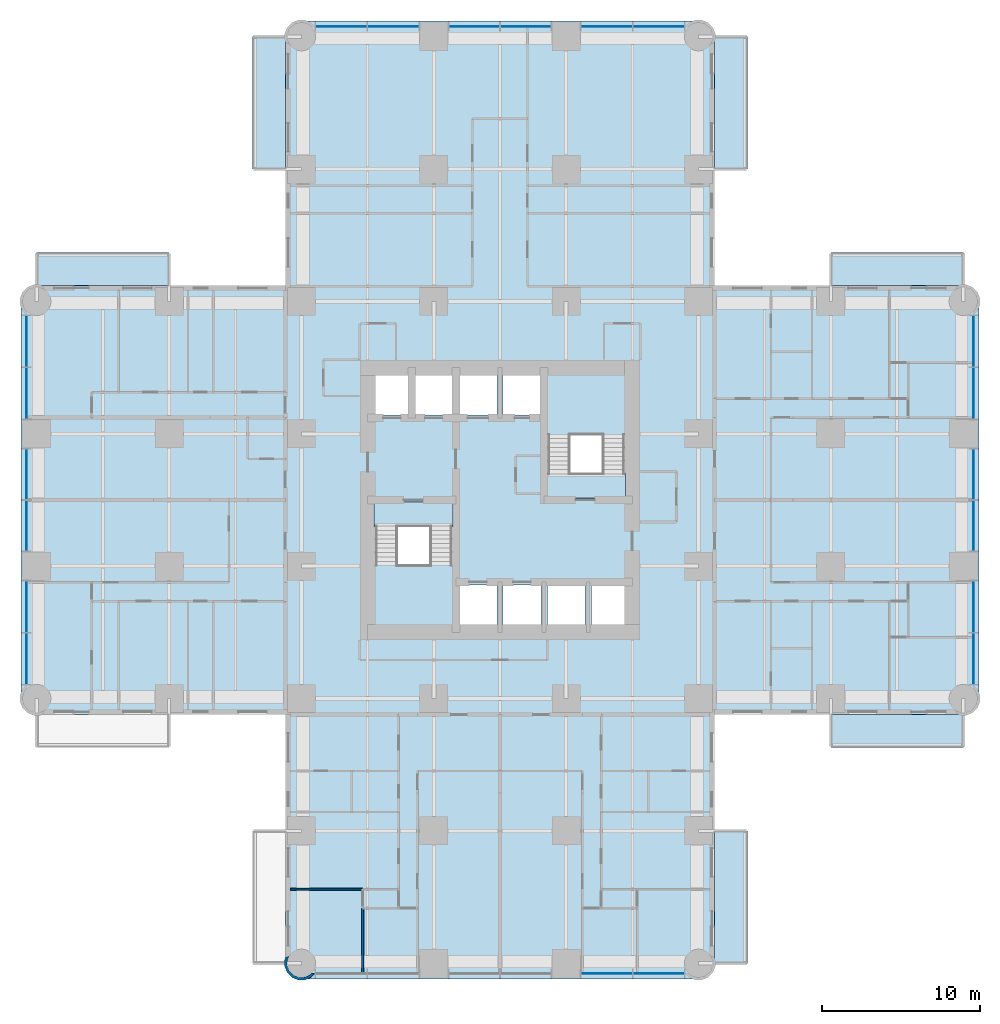
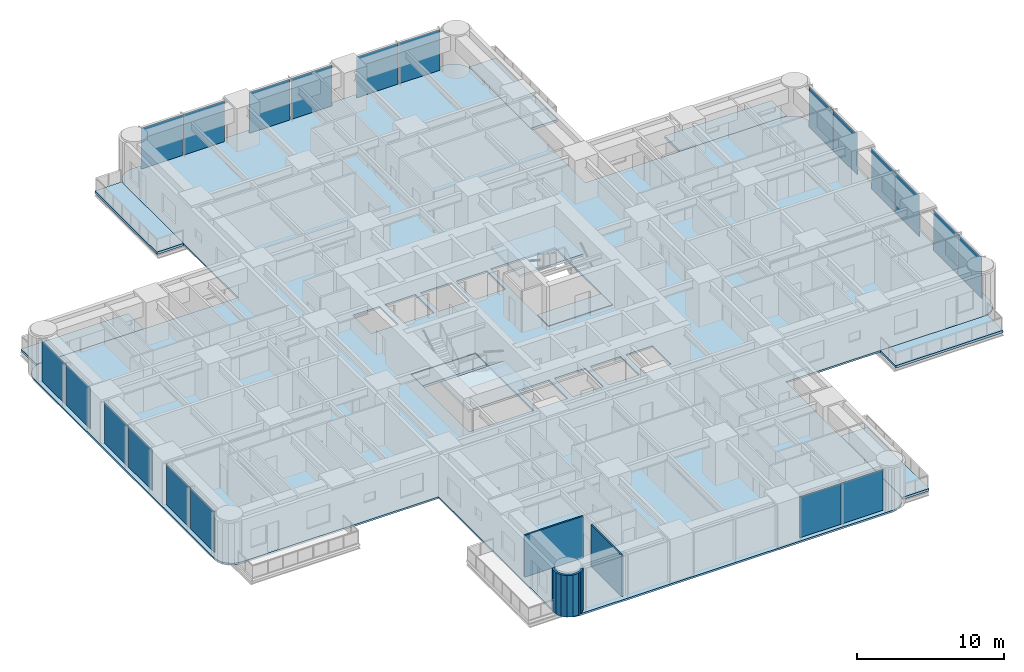
# One storey, part 6 of 17: 20 plates, 11 slabs, 3 walls, 6 elements without a shape of their own.
"""IFC4 building model written with IfcOpenShell, lengths in metres."""

import ifcopenshell
import ifcopenshell.guid

model = None  # the IFC model being written
_history = None  # IfcOwnerHistory: only IFC2X3 demands one
_inside = {}  # id of a spatial element -> (the spatial element, [elements in it])
_under = {}  # id of a project, library or spatial element -> (it, [spatial elements below it])
_declared = {}  # id of a project -> (the project, [libraries it declares])
_typed = {}  # id of a type object -> (the type object, [elements of that type])
_made_of = {}  # id of a material, layer set ... -> (it, [elements and type objects made of it])


def new_model(schema):
    """Start an empty IFC model of exactly this schema.

    Asked for "IFC4X3", IfcOpenShell would pick the latest addendum, in which some entities
    have other attributes; the version numbers below select the first issue.
    IFC2X3 requires an IfcOwnerHistory on every rooted entity: one is made here for all.
    """
    global model, _history
    if schema == "IFC4X3":
        model = ifcopenshell.file(schema_version=(4, 3, 0, 0))
    else:
        model = ifcopenshell.file(schema=schema)
    _inside.clear()
    _under.clear()
    _declared.clear()
    _typed.clear()
    _made_of.clear()
    _history = None
    if model.schema == "IFC2X3":
        org = make("IfcOrganization", Name="unknown")
        user = make(
            "IfcPersonAndOrganization",
            ThePerson=make("IfcPerson", FamilyName="unknown"),
            TheOrganization=org,
        )
        app = make(
            "IfcApplication",
            ApplicationDeveloper=org,
            Version="unknown",
            ApplicationFullName="unknown",
            ApplicationIdentifier="unknown",
        )
        _history = make(
            "IfcOwnerHistory",
            OwningUser=user,
            OwningApplication=app,
            ChangeAction="ADDED",
            CreationDate=0,
        )
    return model


def make(cls, **values):
    """One entity of the class cls with the attributes given. An attribute that is None is left unset."""
    return model.create_entity(
        cls, **{name: value for name, value in values.items() if value is not None}
    )


def rooted(cls, **values):
    """An entity with a GlobalId (a new one), such as an element, a storey or a relation."""
    return make(cls, GlobalId=ifcopenshell.guid.new(), OwnerHistory=_history, **values)


def si_unit(unit_type, name, prefix=None):
    """IfcSIUnit, for example si_unit("LENGTHUNIT", "METRE", prefix="MILLI")."""
    return make("IfcSIUnit", UnitType=unit_type, Prefix=prefix, Name=name)


def assignment(units):
    """IfcUnitAssignment: the units of a project."""
    return None if units is None else make("IfcUnitAssignment", Units=units)


def point(xyz):
    """IfcCartesianPoint."""
    return None if xyz is None else make("IfcCartesianPoint", Coordinates=xyz)


def direction(xyz):
    """IfcDirection."""
    return None if xyz is None else make("IfcDirection", DirectionRatios=xyz)


def frame(location, z_axis=None, x_axis=None):
    """IfcAxis2Placement3D, a coordinate frame: its origin and axes. An axis left out is left unset."""
    return make(
        "IfcAxis2Placement3D",
        Location=point(location),
        Axis=direction(z_axis),
        RefDirection=direction(x_axis),
    )


def frame_2d(location, x_axis=None):
    """IfcAxis2Placement2D, a coordinate frame in the plane: its origin and x axis."""
    return make(
        "IfcAxis2Placement2D", Location=point(location), RefDirection=direction(x_axis)
    )


def origin():
    """The frame at (0, 0, 0) with its axes left unset."""
    return frame((0.0, 0.0, 0.0))


def origin_2d():
    """The frame at (0, 0) in the plane with its x axis left unset."""
    return frame_2d((0.0, 0.0))


def place(relative_to, where):
    """IfcLocalPlacement: puts the frame where relative to a parent placement (None: the world)."""
    return make(
        "IfcLocalPlacement", PlacementRelTo=relative_to, RelativePlacement=where
    )


def context(
    kind, dimensions, precision=None, world=None, true_north=None, identifier=None
):
    """IfcGeometricRepresentationContext, for example the 3D "Model" context."""
    return make(
        "IfcGeometricRepresentationContext",
        ContextIdentifier=identifier,
        ContextType=kind,
        CoordinateSpaceDimension=dimensions,
        Precision=precision,
        WorldCoordinateSystem=world,
        TrueNorth=true_north,
    )


def subcontext(parent, identifier, kind, view, scale=None):
    """IfcGeometricRepresentationSubContext, for example "Body" below "Model"."""
    return make(
        "IfcGeometricRepresentationSubContext",
        ContextIdentifier=identifier,
        ContextType=kind,
        ParentContext=parent,
        TargetScale=scale,
        TargetView=view,
    )


def project(units=None, contexts=None):
    """IfcProject with its units and contexts."""
    return rooted(
        "IfcProject",
        Name="project",
        RepresentationContexts=contexts,
        UnitsInContext=assignment(units),
    )


def spatial(cls, under=None, at=None, **own):
    """A site, building, storey or space (cls), placed at a placement, below another one or the project."""
    s = rooted(cls, ObjectPlacement=at, **own)
    if under is not None:
        _under.setdefault(under.id(), (under, []))[1].append(s)
    return s


def polyline(points):
    """IfcPolyline through the points."""
    return make("IfcPolyline", Points=[point(p) for p in points])


def profile(cls, at=None, kind="AREA", **sizes):
    """A parametric profile (cls). Its sizes go by their IFC names, for example OverallWidth=200.0."""
    return make(cls, ProfileType=kind, Position=at, **sizes)


def rectangle(**sizes):
    """IfcRectangleProfileDef."""
    return profile("IfcRectangleProfileDef", **sizes)


def outline(outer, holes=None, kind="AREA"):
    """IfcArbitraryClosedProfileDef: a profile drawn as a closed curve; with holes, ...WithVoids."""
    if holes is None:
        return make("IfcArbitraryClosedProfileDef", ProfileType=kind, OuterCurve=outer)
    return make(
        "IfcArbitraryProfileDefWithVoids",
        ProfileType=kind,
        OuterCurve=outer,
        InnerCurves=holes,
    )


def extrude(swept, where, along, depth):
    """IfcExtrudedAreaSolid: the profile swept, set in the frame where, extruded along a direction by depth."""
    return make(
        "IfcExtrudedAreaSolid",
        SweptArea=swept,
        Position=where,
        ExtrudedDirection=direction(along),
        Depth=depth,
    )


def shape(context_of_items, identifier, shape_type, items):
    """IfcShapeRepresentation: the items that make up one representation, for example the "Body"."""
    return make(
        "IfcShapeRepresentation",
        ContextOfItems=context_of_items,
        RepresentationIdentifier=identifier,
        RepresentationType=shape_type,
        Items=items,
    )


def material(Name=None, Category=None):
    """IfcMaterial."""
    return make("IfcMaterial", Name=Name, Category=Category)


def layer(
    of_material, thickness, ventilated=None, Name=None, Category=None, Priority=None
):
    """IfcMaterialLayer: one layer of a wall or slab, of a material (None: an air gap)."""
    return make(
        "IfcMaterialLayer",
        Material=of_material,
        LayerThickness=thickness,
        IsVentilated=ventilated,
        Name=Name,
        Category=Category,
        Priority=Priority,
    )


def layer_set(layers, Name=None):
    """IfcMaterialLayerSet."""
    return make("IfcMaterialLayerSet", MaterialLayers=layers, LayerSetName=Name)


def made_of(thing, what):
    """Note that an element or type object is made of a material, layer set ...; save() writes the relation."""
    if what is not None:
        _made_of.setdefault(what.id(), (what, []))[1].append(thing)
    return thing


def type_object(cls, material=None, **own):
    """A type object (cls), such as IfcWallType, which elements share."""
    return made_of(rooted(cls, **own), material)


def element(
    cls,
    number,
    at=None,
    inside=None,
    cuts=None,
    type_object=None,
    material=None,
    context=None,
    identifier="Body",
    shape_type=None,
    held_by="IfcProductDefinitionShape",
    body=None,
    shapes=None,
    **own,
):
    """One element of the class cls, such as IfcWall. Its Tag is "e" and its number.

    at: its placement. inside: the storey or other place that contains it. cuts: it is an
    opening in that element (IfcRelVoidsElement). A single representation is given by context,
    identifier, shape_type and body (its items); several are given by shapes. held_by: the class
    of the entity that holds the representations. save() writes the other relations.
    """
    e = rooted(cls, Tag="e%d" % number, ObjectPlacement=at, **own)
    if body is not None:
        shapes = [shape(context, identifier, shape_type, body)]
    if shapes is not None:
        e.Representation = make(held_by, Representations=shapes)
    if inside is not None:
        _inside.setdefault(inside.id(), (inside, []))[1].append(e)
    if cuts is not None:
        rooted(
            "IfcRelVoidsElement", RelatingBuildingElement=cuts, RelatedOpeningElement=e
        )
    if type_object is not None:
        _typed.setdefault(type_object.id(), (type_object, []))[1].append(e)
    return made_of(e, material)


def aggregate(whole, parts):
    """IfcRelAggregates: a whole, such as a stair, and the parts it consists of."""
    return rooted("IfcRelAggregates", RelatingObject=whole, RelatedObjects=parts)


def save(model, path):
    """Write the relations noted so far, then the file.

    IfcRelAggregates (storeys below a building ...), IfcRelContainedInSpatialStructure (elements
    in a storey), IfcRelDefinesByType, IfcRelAssociatesMaterial and IfcRelDeclares: one each for
    every whole, place, type object, material and project.
    """
    for whole, parts in _under.values():
        aggregate(whole, parts)
    for where, things in _inside.values():
        rooted(
            "IfcRelContainedInSpatialStructure",
            RelatedElements=things,
            RelatingStructure=where,
        )
    for kind, things in _typed.values():
        rooted("IfcRelDefinesByType", RelatedObjects=things, RelatingType=kind)
    for what, things in _made_of.values():
        rooted("IfcRelAssociatesMaterial", RelatedObjects=things, RelatingMaterial=what)
    for by, libraries in _declared.values():
        rooted("IfcRelDeclares", RelatingContext=by, RelatedDefinitions=libraries)
    model.write(path)


model = new_model("IFC4")

# Units and contexts
model_context = context("Model", 3, precision=1e-05, world=origin(), true_north=direction((0.0, 1.0)))
body_context = subcontext(model_context, "Body", "Model", "MODEL_VIEW")
ifc_project = project(units=[si_unit("LENGTHUNIT", "METRE"), si_unit("AREAUNIT", "SQUARE_METRE"), si_unit("VOLUMEUNIT", "CUBIC_METRE"), si_unit("PLANEANGLEUNIT", "RADIAN"), si_unit("MASSUNIT", "GRAM", prefix="KILO")], contexts=[model_context])

# Site, building, storey
site_placement = place(None, origin())
site = spatial("IfcSite", under=ifc_project, at=site_placement, CompositionType="ELEMENT")
building_placement = place(site_placement, origin())
building = spatial("IfcBuilding", under=site, at=building_placement, Name="Torre Alcanfor", CompositionType="ELEMENT")
storey_placement = place(building_placement, frame((0.0, 0.0, 38.10009765625)))
storey = spatial("IfcBuildingStorey", under=building, at=storey_placement, Name="L08", CompositionType="ELEMENT", Elevation=38.10009765625)

# Slabs
ifc_material_1 = material(Name="Concrete f'c 35 MPa", Category="concrete")
ifc_layer_1 = layer(ifc_material_1, 0.199951171875)
ifc_layer_set_1 = layer_set([ifc_layer_1], Name="Balcony slab 200")
slab_type_1 = type_object("IfcSlabType", Name="Balcony slab 200", PredefinedType="FLOOR", material=ifc_layer_set_1)
slab_1_placement = place(storey_placement, frame((0.0, 0.0, -0.2001953125)))
element("IfcSlab", 1, at=slab_1_placement, inside=storey, type_object=slab_type_1, Name="Balcony L08-N1", PredefinedType="FLOOR", context=body_context, shape_type="SweptSolid", body=[
    extrude(outline(polyline([(15.800048828125, 50.39990234375), (15.800048828125, 58.800048828125), (13.699951171875, 58.800048828125), (13.699951171875, 50.39990234375), (15.800048828125, 50.39990234375)])), origin(), (0.0, 0.0, 1.0), 0.2001953125),
])
slab_2_placement = place(storey_placement, frame((0.0, 0.0, -0.2001953125)))
element("IfcSlab", 2, at=slab_2_placement, inside=storey, type_object=slab_type_1, Name="Balcony L08-N2", PredefinedType="FLOOR", context=body_context, shape_type="SweptSolid", body=[
    extrude(outline(polyline([(45.10009765625, 50.39990234375), (45.10009765625, 58.800048828125), (43.0, 58.800048828125), (43.0, 50.39990234375), (45.10009765625, 50.39990234375)])), origin(), (0.0, 0.0, 1.0), 0.2001953125),
])
slab_3_placement = place(storey_placement, frame((0.0, 0.0, -0.2001953125)))
element("IfcSlab", 3, at=slab_3_placement, inside=storey, type_object=slab_type_1, Name="Balcony L08-E1", PredefinedType="FLOOR", context=body_context, shape_type="SweptSolid", body=[
    extrude(outline(polyline([(50.39990234375, 43.0), (58.800048828125, 43.0), (58.800048828125, 45.10009765625), (50.39990234375, 45.10009765625), (50.39990234375, 43.0)])), origin(), (0.0, 0.0, 1.0), 0.2001953125),
])
slab_4_placement = place(storey_placement, frame((0.0, 0.0, -0.2001953125)))
element("IfcSlab", 4, at=slab_4_placement, inside=storey, type_object=slab_type_1, Name="Balcony L08-E2", PredefinedType="FLOOR", context=body_context, shape_type="SweptSolid", body=[
    extrude(outline(polyline([(50.39990234375, 13.699951171875), (58.800048828125, 13.699951171875), (58.800048828125, 15.800048828125), (50.39990234375, 15.800048828125), (50.39990234375, 13.699951171875)])), origin(), (0.0, 0.0, 1.0), 0.2001953125),
])
slab_5_placement = place(storey_placement, frame((0.0, 0.0, -0.2001953125)))
element("IfcSlab", 5, at=slab_5_placement, inside=storey, type_object=slab_type_1, Name="Balcony L08-S1", PredefinedType="FLOOR", context=body_context, shape_type="SweptSolid", body=[
    extrude(outline(polyline([(43.0, 8.39990234375), (43.0, 0.0), (45.10009765625, 0.0), (45.10009765625, 8.39990234375), (43.0, 8.39990234375)])), origin(), (0.0, 0.0, 1.0), 0.2001953125),
])
slab_6_placement = place(storey_placement, frame((0.0, 0.0, -0.2001953125)))
element("IfcSlab", 6, at=slab_6_placement, inside=storey, type_object=slab_type_1, Name="Balcony L08-W2", PredefinedType="FLOOR", context=body_context, shape_type="SweptSolid", body=[
    extrude(outline(polyline([(8.39990234375, 45.10009765625), (0.0, 45.10009765625), (0.0, 43.0), (8.39990234375, 43.0), (8.39990234375, 45.10009765625)])), origin(), (0.0, 0.0, 1.0), 0.2001953125),
])

# Curtain wall, plates
ifc_material_2 = material(Name="Aluminium and glass", Category="aluminium")
curtain_wall_type = type_object("IfcCurtainWallType", Name="CW-A unitised apartment glazing with vertical FIN", PredefinedType="NOTDEFINED", material=ifc_material_2)
curtain_wall_1_placement = place(storey_placement, origin())
curtain_wall_1 = element("IfcCurtainWall", 7, at=curtain_wall_1_placement, inside=storey, type_object=curtain_wall_type, Name="Curtain wall CW-A L08 2", PredefinedType="NOTDEFINED")
ifc_material_3 = material(Name="Glass", Category="glass")
ifc_layer_2 = layer(ifc_material_3, 0.028076171875)
ifc_layer_set_2 = layer_set([ifc_layer_2], Name="CW-A clear double glazed unit")
plate_type = type_object("IfcPlateType", Name="CW-A clear double glazed unit", PredefinedType="CURTAIN_PANEL", material=ifc_layer_set_2)
plate_1_placement = place(storey_placement, frame((-0.64990234375, 39.484130859375, 0.0), z_axis=(0.0, 0.0, 1.0), x_axis=(0.0, -1.0, 0.0)))
plate_1 = element("IfcPlate", 8, at=plate_1_placement, type_object=plate_type, Name="CW-A panel 1.1.1", PredefinedType="CURTAIN_PANEL", context=body_context, shape_type="SweptSolid", body=[
    extrude(rectangle(XDim=3.232666015625, YDim=0.028076171875, at=origin_2d()), origin(), (0.0, 0.0, 1.0), 3.385009765625),
])
plate_2_placement = place(storey_placement, frame((-0.64990234375, 36.186279296875, 0.0), z_axis=(0.0, 0.0, 1.0), x_axis=(0.0, -1.0, 0.0)))
plate_2 = element("IfcPlate", 9, at=plate_2_placement, type_object=plate_type, Name="CW-A panel 1.2.1", PredefinedType="CURTAIN_PANEL", context=body_context, shape_type="SweptSolid", body=[
    extrude(rectangle(XDim=3.232666015625, YDim=0.028076171875, at=origin_2d()), origin(), (0.0, 0.0, 1.0), 3.385009765625),
])
plate_3_placement = place(storey_placement, frame((-0.64990234375, 31.03125, 0.0), z_axis=(0.0, 0.0, 1.0), x_axis=(0.0, -1.0, 0.0)))
plate_3 = element("IfcPlate", 10, at=plate_3_placement, type_object=plate_type, Name="CW-A panel 2.1.1", PredefinedType="CURTAIN_PANEL", context=body_context, shape_type="SweptSolid", body=[
    extrude(rectangle(XDim=3.197509765625, YDim=0.028076171875, at=origin_2d()), origin(), (0.0, 0.0, 1.0), 3.385009765625),
])
plate_4_placement = place(storey_placement, frame((-0.64990234375, 27.768798828125, 0.0), z_axis=(0.0, 0.0, 1.0), x_axis=(0.0, -1.0, 0.0)))
plate_4 = element("IfcPlate", 11, at=plate_4_placement, type_object=plate_type, Name="CW-A panel 2.2.1", PredefinedType="CURTAIN_PANEL", context=body_context, shape_type="SweptSolid", body=[
    extrude(rectangle(XDim=3.197509765625, YDim=0.028076171875, at=origin_2d()), origin(), (0.0, 0.0, 1.0), 3.385009765625),
])
plate_5_placement = place(storey_placement, frame((-0.64990234375, 22.613525390625, 0.0), z_axis=(0.0, 0.0, 1.0), x_axis=(0.0, -1.0, 0.0)))
plate_5 = element("IfcPlate", 12, at=plate_5_placement, type_object=plate_type, Name="CW-A panel 3.1.1", PredefinedType="CURTAIN_PANEL", context=body_context, shape_type="SweptSolid", body=[
    extrude(rectangle(XDim=3.232666015625, YDim=0.028076171875, at=origin_2d()), origin(), (0.0, 0.0, 1.0), 3.385009765625),
])
plate_6_placement = place(storey_placement, frame((-0.64990234375, 19.31591796875, 0.0), z_axis=(0.0, 0.0, 1.0), x_axis=(0.0, -1.0, 0.0)))
plate_6 = element("IfcPlate", 13, at=plate_6_placement, type_object=plate_type, Name="CW-A panel 3.2.1", PredefinedType="CURTAIN_PANEL", context=body_context, shape_type="SweptSolid", body=[
    extrude(rectangle(XDim=3.232666015625, YDim=0.028076171875, at=origin_2d()), origin(), (0.0, 0.0, 1.0), 3.385009765625),
])
aggregate(curtain_wall_1, [plate_1, plate_2, plate_3, plate_4, plate_5, plate_6])

curtain_wall_2_placement = place(storey_placement, origin())
curtain_wall_2 = element("IfcCurtainWall", 14, at=curtain_wall_2_placement, inside=storey, type_object=curtain_wall_type, Name="Curtain wall CW-A L08 5", PredefinedType="NOTDEFINED")
plate_7_placement = place(storey_placement, frame((36.186279296875, -0.64990234375, 0.0), z_axis=(0.0, 0.0, 1.0), x_axis=(1.0, 0.0, 0.0)))
plate_7 = element("IfcPlate", 15, at=plate_7_placement, type_object=plate_type, Name="CW-A panel 3.1.1", PredefinedType="CURTAIN_PANEL", context=body_context, shape_type="SweptSolid", body=[
    extrude(rectangle(XDim=3.232666015625, YDim=0.028076171875, at=origin_2d()), origin(), (0.0, 0.0, 1.0), 3.385009765625),
])
plate_8_placement = place(storey_placement, frame((39.484130859375, -0.64990234375, 0.0), z_axis=(0.0, 0.0, 1.0), x_axis=(1.0, 0.0, 0.0)))
plate_8 = element("IfcPlate", 16, at=plate_8_placement, type_object=plate_type, Name="CW-A panel 3.2.1", PredefinedType="CURTAIN_PANEL", context=body_context, shape_type="SweptSolid", body=[
    extrude(rectangle(XDim=3.232666015625, YDim=0.028076171875, at=origin_2d()), origin(), (0.0, 0.0, 1.0), 3.385009765625),
])
aggregate(curtain_wall_2, [plate_7, plate_8])

curtain_wall_3_placement = place(storey_placement, origin())
curtain_wall_3 = element("IfcCurtainWall", 17, at=curtain_wall_3_placement, inside=storey, type_object=curtain_wall_type, Name="Curtain wall CW-A L08 8", PredefinedType="NOTDEFINED")
plate_9_placement = place(storey_placement, frame((59.449951171875, 19.31591796875, 0.0), z_axis=(0.0, 0.0, 1.0), x_axis=(0.0, 1.0, 0.0)))
plate_9 = element("IfcPlate", 18, at=plate_9_placement, type_object=plate_type, Name="CW-A panel 1.1.1", PredefinedType="CURTAIN_PANEL", context=body_context, shape_type="SweptSolid", body=[
    extrude(rectangle(XDim=3.232666015625, YDim=0.028076171875, at=origin_2d()), origin(), (0.0, 0.0, 1.0), 3.385009765625),
])
plate_10_placement = place(storey_placement, frame((59.449951171875, 22.613525390625, 0.0), z_axis=(0.0, 0.0, 1.0), x_axis=(0.0, 1.0, 0.0)))
plate_10 = element("IfcPlate", 19, at=plate_10_placement, type_object=plate_type, Name="CW-A panel 1.2.1", PredefinedType="CURTAIN_PANEL", context=body_context, shape_type="SweptSolid", body=[
    extrude(rectangle(XDim=3.232666015625, YDim=0.028076171875, at=origin_2d()), origin(), (0.0, 0.0, 1.0), 3.385009765625),
])
plate_11_placement = place(storey_placement, frame((59.449951171875, 27.768798828125, 0.0), z_axis=(0.0, 0.0, 1.0), x_axis=(0.0, 1.0, 0.0)))
plate_11 = element("IfcPlate", 20, at=plate_11_placement, type_object=plate_type, Name="CW-A panel 2.1.1", PredefinedType="CURTAIN_PANEL", context=body_context, shape_type="SweptSolid", body=[
    extrude(rectangle(XDim=3.197509765625, YDim=0.028076171875, at=origin_2d()), origin(), (0.0, 0.0, 1.0), 3.385009765625),
])
plate_12_placement = place(storey_placement, frame((59.449951171875, 31.03125, 0.0), z_axis=(0.0, 0.0, 1.0), x_axis=(0.0, 1.0, 0.0)))
plate_12 = element("IfcPlate", 21, at=plate_12_placement, type_object=plate_type, Name="CW-A panel 2.2.1", PredefinedType="CURTAIN_PANEL", context=body_context, shape_type="SweptSolid", body=[
    extrude(rectangle(XDim=3.197509765625, YDim=0.028076171875, at=origin_2d()), origin(), (0.0, 0.0, 1.0), 3.385009765625),
])
plate_13_placement = place(storey_placement, frame((59.449951171875, 36.186279296875, 0.0), z_axis=(0.0, 0.0, 1.0), x_axis=(0.0, 1.0, 0.0)))
plate_13 = element("IfcPlate", 22, at=plate_13_placement, type_object=plate_type, Name="CW-A panel 3.1.1", PredefinedType="CURTAIN_PANEL", context=body_context, shape_type="SweptSolid", body=[
    extrude(rectangle(XDim=3.232666015625, YDim=0.028076171875, at=origin_2d()), origin(), (0.0, 0.0, 1.0), 3.385009765625),
])
plate_14_placement = place(storey_placement, frame((59.449951171875, 39.484130859375, 0.0), z_axis=(0.0, 0.0, 1.0), x_axis=(0.0, 1.0, 0.0)))
plate_14 = element("IfcPlate", 23, at=plate_14_placement, type_object=plate_type, Name="CW-A panel 3.2.1", PredefinedType="CURTAIN_PANEL", context=body_context, shape_type="SweptSolid", body=[
    extrude(rectangle(XDim=3.232666015625, YDim=0.028076171875, at=origin_2d()), origin(), (0.0, 0.0, 1.0), 3.385009765625),
])
aggregate(curtain_wall_3, [plate_9, plate_10, plate_11, plate_12, plate_13, plate_14])

curtain_wall_4_placement = place(storey_placement, origin())
curtain_wall_4 = element("IfcCurtainWall", 24, at=curtain_wall_4_placement, inside=storey, type_object=curtain_wall_type, Name="Curtain wall CW-A L08 11", PredefinedType="NOTDEFINED")
plate_15_placement = place(storey_placement, frame((39.484130859375, 59.449951171875, 0.0), z_axis=(0.0, 0.0, 1.0), x_axis=(-1.0, 0.0, 0.0)))
plate_15 = element("IfcPlate", 25, at=plate_15_placement, type_object=plate_type, Name="CW-A panel 1.1.1", PredefinedType="CURTAIN_PANEL", context=body_context, shape_type="SweptSolid", body=[
    extrude(rectangle(XDim=3.232666015625, YDim=0.028076171875, at=origin_2d()), origin(), (0.0, 0.0, 1.0), 3.385009765625),
])
plate_16_placement = place(storey_placement, frame((36.186279296875, 59.449951171875, 0.0), z_axis=(0.0, 0.0, 1.0), x_axis=(-1.0, 0.0, 0.0)))
plate_16 = element("IfcPlate", 26, at=plate_16_placement, type_object=plate_type, Name="CW-A panel 1.2.1", PredefinedType="CURTAIN_PANEL", context=body_context, shape_type="SweptSolid", body=[
    extrude(rectangle(XDim=3.232666015625, YDim=0.028076171875, at=origin_2d()), origin(), (0.0, 0.0, 1.0), 3.385009765625),
])
plate_17_placement = place(storey_placement, frame((31.03125, 59.449951171875, 0.0), z_axis=(0.0, 0.0, 1.0), x_axis=(-1.0, 0.0, 0.0)))
plate_17 = element("IfcPlate", 27, at=plate_17_placement, type_object=plate_type, Name="CW-A panel 2.1.1", PredefinedType="CURTAIN_PANEL", context=body_context, shape_type="SweptSolid", body=[
    extrude(rectangle(XDim=3.197509765625, YDim=0.028076171875, at=origin_2d()), origin(), (0.0, 0.0, 1.0), 3.385009765625),
])
plate_18_placement = place(storey_placement, frame((27.768798828125, 59.449951171875, 0.0), z_axis=(0.0, 0.0, 1.0), x_axis=(-1.0, 0.0, 0.0)))
plate_18 = element("IfcPlate", 28, at=plate_18_placement, type_object=plate_type, Name="CW-A panel 2.2.1", PredefinedType="CURTAIN_PANEL", context=body_context, shape_type="SweptSolid", body=[
    extrude(rectangle(XDim=3.197509765625, YDim=0.028076171875, at=origin_2d()), origin(), (0.0, 0.0, 1.0), 3.385009765625),
])
plate_19_placement = place(storey_placement, frame((22.613525390625, 59.449951171875, 0.0), z_axis=(0.0, 0.0, 1.0), x_axis=(-1.0, 0.0, 0.0)))
plate_19 = element("IfcPlate", 29, at=plate_19_placement, type_object=plate_type, Name="CW-A panel 3.1.1", PredefinedType="CURTAIN_PANEL", context=body_context, shape_type="SweptSolid", body=[
    extrude(rectangle(XDim=3.232666015625, YDim=0.028076171875, at=origin_2d()), origin(), (0.0, 0.0, 1.0), 3.385009765625),
])
plate_20_placement = place(storey_placement, frame((19.31591796875, 59.449951171875, 0.0), z_axis=(0.0, 0.0, 1.0), x_axis=(-1.0, 0.0, 0.0)))
plate_20 = element("IfcPlate", 30, at=plate_20_placement, type_object=plate_type, Name="CW-A panel 3.2.1", PredefinedType="CURTAIN_PANEL", context=body_context, shape_type="SweptSolid", body=[
    extrude(rectangle(XDim=3.232666015625, YDim=0.028076171875, at=origin_2d()), origin(), (0.0, 0.0, 1.0), 3.385009765625),
])
aggregate(curtain_wall_4, [plate_15, plate_16, plate_17, plate_18, plate_19, plate_20])

# Slab
ifc_material_4 = material(Name="Concrete f'c 35 MPa", Category="concrete")
ifc_layer_3 = layer(ifc_material_4, 0.14990234375)
ifc_layer_set_3 = layer_set([ifc_layer_3], Name="Composite floor 150 on metal deck")
slab_type_2 = type_object("IfcSlabType", Name="Composite floor 150 on metal deck", PredefinedType="FLOOR", material=ifc_layer_set_3)
slab_7_placement = place(storey_placement, frame((0.0, 0.0, -0.150146484375)))
element("IfcSlab", 31, at=slab_7_placement, inside=storey, type_object=slab_type_2, Name="Floor slab L08", PredefinedType="FLOOR", context=body_context, shape_type="SweptSolid", body=[
    extrude(outline(polyline([(15.800048828125, 43.0), (0.39990234375, 43.0), (0.03759765625, 42.952392578125), (-0.300048828125, 42.8125), (-0.58984375, 42.58984375), (-0.8125, 42.300048828125), (-0.952392578125, 41.96240234375), (-1.0, 41.60009765625), (-1.0, 17.199951171875), (-0.952392578125, 16.837646484375), (-0.8125, 16.5), (-0.58984375, 16.210205078125), (-0.300048828125, 15.987548828125), (0.03759765625, 15.84765625), (0.39990234375, 15.800048828125), (15.800048828125, 15.800048828125), (15.800048828125, 0.39990234375), (15.84765625, 0.03759765625), (15.987548828125, -0.300048828125), (16.210205078125, -0.58984375), (16.5, -0.8125), (16.837646484375, -0.952392578125), (17.199951171875, -1.0), (41.60009765625, -1.0), (41.96240234375, -0.952392578125), (42.300048828125, -0.8125), (42.58984375, -0.58984375), (42.8125, -0.300048828125), (42.952392578125, 0.03759765625), (43.0, 0.39990234375), (43.0, 15.800048828125), (58.39990234375, 15.800048828125), (58.76220703125, 15.84765625), (59.10009765625, 15.987548828125), (59.389892578125, 16.210205078125), (59.6123046875, 16.5), (59.752197265625, 16.837646484375), (59.800048828125, 17.199951171875), (59.800048828125, 41.60009765625), (59.752197265625, 41.96240234375), (59.6123046875, 42.300048828125), (59.389892578125, 42.58984375), (59.10009765625, 42.8125), (58.76220703125, 42.952392578125), (58.39990234375, 43.0), (43.0, 43.0), (43.0, 58.39990234375), (42.952392578125, 58.76220703125), (42.8125, 59.10009765625), (42.58984375, 59.389892578125), (42.300048828125, 59.6123046875), (41.96240234375, 59.752197265625), (41.60009765625, 59.800048828125), (17.199951171875, 59.800048828125), (16.837646484375, 59.752197265625), (16.5, 59.6123046875), (16.210205078125, 59.389892578125), (15.987548828125, 59.10009765625), (15.84765625, 58.76220703125), (15.800048828125, 58.39990234375), (15.800048828125, 43.0)]), holes=[polyline([(21.419921875, 21.419921875), (26.47998046875, 21.419921875), (26.47998046875, 29.280029296875), (21.419921875, 29.280029296875), (21.419921875, 21.419921875)]), polyline([(32.320068359375, 29.52001953125), (37.3798828125, 29.52001953125), (37.3798828125, 37.3798828125), (32.320068359375, 37.3798828125), (32.320068359375, 29.52001953125)]), polyline([(26.800048828125, 21.5), (29.199951171875, 21.5), (29.199951171875, 24.0), (26.800048828125, 24.0), (26.800048828125, 21.5)]), polyline([(29.60009765625, 21.5), (32.0, 21.5), (32.0, 24.0), (29.60009765625, 24.0), (29.60009765625, 21.5)]), polyline([(32.39990234375, 21.5), (34.800048828125, 21.5), (34.800048828125, 24.0), (32.39990234375, 24.0), (32.39990234375, 21.5)]), polyline([(35.199951171875, 21.5), (37.300048828125, 21.5), (37.300048828125, 24.0), (35.199951171875, 24.0), (35.199951171875, 21.5)]), polyline([(21.5, 34.800048828125), (23.60009765625, 34.800048828125), (23.60009765625, 37.300048828125), (21.5, 37.300048828125), (21.5, 34.800048828125)]), polyline([(24.0, 34.800048828125), (26.39990234375, 34.800048828125), (26.39990234375, 37.300048828125), (24.0, 37.300048828125), (24.0, 34.800048828125)]), polyline([(26.800048828125, 34.800048828125), (29.199951171875, 34.800048828125), (29.199951171875, 37.300048828125), (26.800048828125, 37.300048828125), (26.800048828125, 34.800048828125)]), polyline([(29.60009765625, 34.800048828125), (32.0, 34.800048828125), (32.0, 37.300048828125), (29.60009765625, 37.300048828125), (29.60009765625, 34.800048828125)])]), origin(), (0.0, 0.0, 1.0), 0.150146484375),
])

# Stair, slabs
ifc_material_5 = material(Name="Concrete f'c 35 MPa", Category="concrete")
stair_type_1 = type_object("IfcStairType", Name="Exit stair S1 1400 wide", PredefinedType="HALF_TURN_STAIR", material=ifc_material_5)
stair_1_placement = place(storey_placement, origin())
stair_1 = element("IfcStair", 32, at=stair_1_placement, inside=storey, type_object=stair_type_1, Name="Stair S1 L08 to L09", PredefinedType="HALF_TURN_STAIR")
ifc_material_6 = material(Name="Concrete f'c 35 MPa", Category="concrete")
ifc_layer_4 = layer(ifc_material_6, 0.199951171875)
ifc_layer_set_4 = layer_set([ifc_layer_4], Name="Stair landing 200")
slab_type_3 = type_object("IfcSlabType", Name="Stair landing 200", PredefinedType="LANDING", material=ifc_layer_set_4)
slab_8_placement = place(storey_placement, frame((0.0, 0.0, -0.2001953125)))
slab_8 = element("IfcSlab", 33, at=slab_8_placement, type_object=slab_type_3, Name="S1 landing 1", PredefinedType="LANDING", context=body_context, shape_type="SweptSolid", body=[
    extrude(outline(polyline([(21.419921875, 27.699951171875), (26.429931640625, 27.699951171875), (26.429931640625, 29.22998046875), (21.419921875, 29.22998046875), (21.419921875, 27.699951171875)])), origin(), (0.0, 0.0, 1.0), 0.2001953125),
])
slab_9_placement = place(storey_placement, frame((0.0, 0.0, 1.599853515625)))
slab_9 = element("IfcSlab", 34, at=slab_9_placement, type_object=slab_type_3, Name="S1 landing 2", PredefinedType="LANDING", context=body_context, shape_type="SweptSolid", body=[
    extrude(outline(polyline([(21.419921875, 21.419921875), (26.429931640625, 21.419921875), (26.429931640625, 25.280029296875), (21.419921875, 25.280029296875), (21.419921875, 21.419921875)])), origin(), (0.0, 0.0, 1.0), 0.199951171875),
])
aggregate(stair_1, [slab_8, slab_9])

ifc_material_7 = material(Name="Concrete f'c 35 MPa", Category="concrete")
stair_type_2 = type_object("IfcStairType", Name="Exit stair S2 1400 wide", PredefinedType="HALF_TURN_STAIR", material=ifc_material_7)
stair_2_placement = place(storey_placement, origin())
stair_2 = element("IfcStair", 35, at=stair_2_placement, inside=storey, type_object=stair_type_2, Name="Stair S2 L08 to L09", PredefinedType="HALF_TURN_STAIR")
slab_10_placement = place(storey_placement, frame((0.0, 0.0, -0.2001953125)))
slab_10 = element("IfcSlab", 36, at=slab_10_placement, type_object=slab_type_3, Name="S2 landing 1", PredefinedType="LANDING", context=body_context, shape_type="SweptSolid", body=[
    extrude(outline(polyline([(32.3701171875, 29.570068359375), (37.3798828125, 29.570068359375), (37.3798828125, 31.10009765625), (32.3701171875, 31.10009765625), (32.3701171875, 29.570068359375)])), origin(), (0.0, 0.0, 1.0), 0.2001953125),
])
slab_11_placement = place(storey_placement, frame((0.0, 0.0, 1.599853515625)))
slab_11 = element("IfcSlab", 37, at=slab_11_placement, type_object=slab_type_3, Name="S2 landing 2", PredefinedType="LANDING", context=body_context, shape_type="SweptSolid", body=[
    extrude(outline(polyline([(32.3701171875, 33.52001953125), (37.3798828125, 33.52001953125), (37.3798828125, 37.3798828125), (32.3701171875, 37.3798828125), (32.3701171875, 33.52001953125)])), origin(), (0.0, 0.0, 1.0), 0.199951171875),
])
aggregate(stair_2, [slab_10, slab_11])

# Walls
ifc_material_8 = material(Name="Gypsum board on steel studs", Category="steel")
ifc_layer_5 = layer(ifc_material_8, 0.1201171875)
ifc_layer_set_5 = layer_set([ifc_layer_5], Name="Apartment partition 120")
wall_type_1 = type_object("IfcWallType", Name="Apartment partition 120", PredefinedType="PARTITIONING", material=ifc_layer_set_5)
wall_1_placement = place(storey_placement, frame((20.68603515625, 4.699951171875, 0.0), z_axis=(0.0, 0.0, 1.0), x_axis=(-1.0, 0.0, 0.0)))
element("IfcWall", 38, at=wall_1_placement, inside=storey, type_object=wall_type_1, Name="Partition L08-S2-BED3 / L08-S2-MASTER", PredefinedType="PARTITIONING", context=body_context, shape_type="SweptSolid", body=[
    extrude(rectangle(XDim=4.5859375, YDim=0.1201171875, at=frame_2d((2.29296875, 0.0))), origin(), (0.0, 0.0, 1.0), 3.449951171875),
])
wall_2_placement = place(storey_placement, frame((20.68603515625, -0.64990234375, 0.0), z_axis=(0.0, 0.0, 1.0), x_axis=(0.0, 1.0, 0.0)))
element("IfcWall", 39, at=wall_2_placement, inside=storey, type_object=wall_type_1, Name="Partition L08-S2-BED2 / L08-S2-MASTER", PredefinedType="PARTITIONING", context=body_context, shape_type="SweptSolid", body=[
    extrude(rectangle(XDim=4.14990234375, YDim=0.1201171875, at=frame_2d((2.074951171875, 0.0))), origin(), (0.0, 0.0, 1.0), 3.449951171875),
])
ifc_material_9 = material(Name="Limestone cladding", Category="masonry")
ifc_layer_6 = layer(ifc_material_9, 0.0400390625, Name="Facing")
ifc_material_10 = material(Name="Ventilated air cavity")
ifc_layer_7 = layer(ifc_material_10, 0.02001953125, ventilated=True, Name="Ventilated joint")
ifc_material_11 = material(Name="Mineral wool insulation", Category="insulation")
ifc_layer_8 = layer(ifc_material_11, 0.10009765625, Name="Insulation")
ifc_material_12 = material(Name="Concrete f'c 35 MPa", Category="concrete")
ifc_layer_9 = layer(ifc_material_12, 0.139892578125, Name="Backing")
ifc_layer_set_6 = layer_set([ifc_layer_6, ifc_layer_7, ifc_layer_8, ifc_layer_9], Name="Rounded corner pier stone-clad 300")
wall_type_2 = type_object("IfcWallType", Name="Rounded corner pier stone-clad 300", PredefinedType="SOLIDWALL", material=ifc_layer_set_6)
wall_3_placement = place(storey_placement, frame((15.890092843, 0.363962863, 0.0), z_axis=(0.0, 0.0, 1.0), x_axis=(-0.377204953059, -0.926129809145, 0.0)))
element("IfcWall", 40, at=wall_3_placement, inside=storey, type_object=wall_type_2, Name="Corner pier L08 15", PredefinedType="SOLIDWALL", context=body_context, shape_type="SweptSolid", body=[
    extrude(outline(polyline([(0.36025406326845444, 1.8033251535395152), (0.5088520451897254, 1.7407402151136773), (0.7605729288027181, 1.4858036812916837), (0.8957625945963965, 1.1538802047718164), (0.8938847377533284, 0.7953914035812757), (0.7547773157275899, 0.46510295554213366), (0.4997067670481534, 0.21306387496571194), (0.16778329052828606, 0.07787420917203358), (-0.09994023900030424, 0.0795504548732244), (0.0006804239564057041, -0.09694899646014049), (0.029999294732247404, -0.08026261581225796), (0.19856690358048068, -0.0812004843578153), (0.5888257049928043, 0.07774867310804906), (0.8888185520201115, 0.37418200048294215), (1.0525847078153452, 0.7630186897929918), (1.0551554850896743, 1.184529802966568), (0.896114236570817, 1.5750147102893275), (0.7776681844062314, 1.6949582431572732), (0.7691216165340404, 1.727592391840862), (0.7502462480266835, 1.7228043636692119), (0.599680909195924, 1.8750075573166347), (0.2945300212676607, 2.0035278056043833), (0.2809636666415082, 1.9980023424248052), (0.36025406326845444, 1.8033251535395152)])), origin(), (0.0, 0.0, 1.0), 3.449951171875),
])

save(model, "model.ifc")
